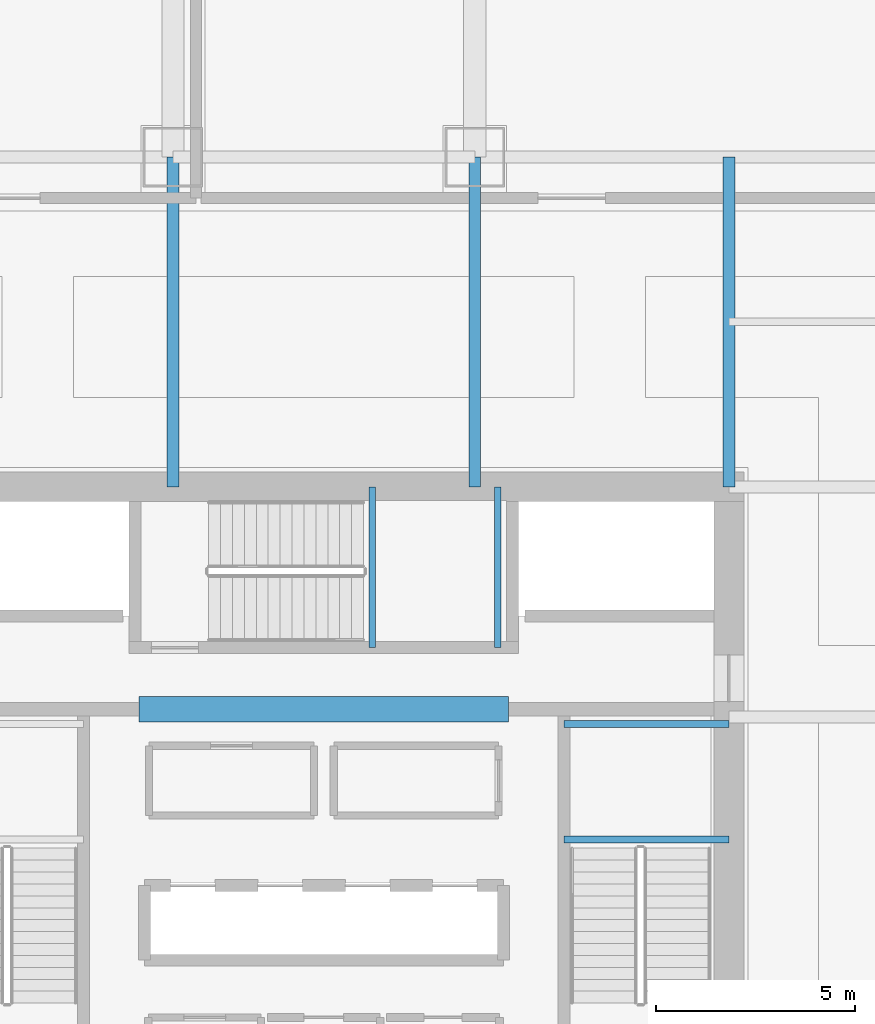
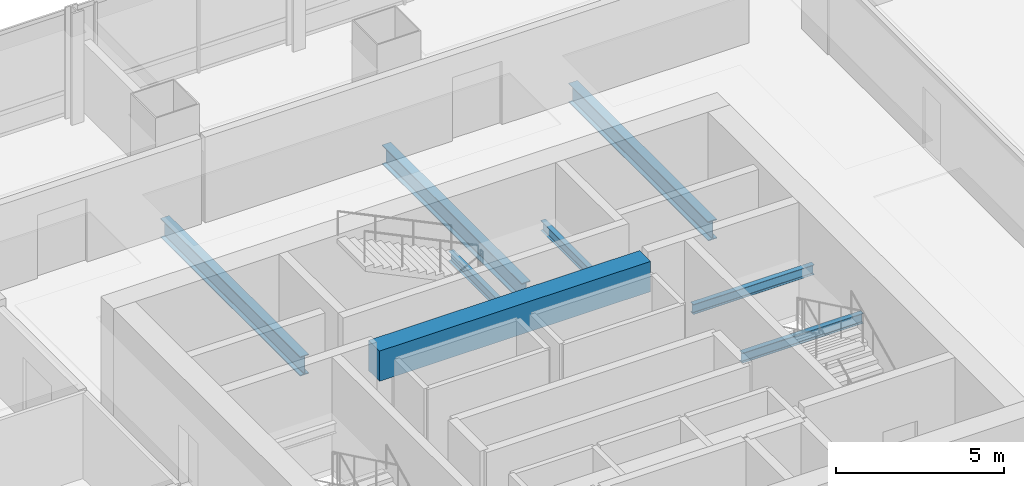
# One storey, part 12 of 34: 8 beams.
"""IFC4 building model written with IfcOpenShell, lengths in metres."""

import ifcopenshell
import ifcopenshell.guid

model = None  # the IFC model being written
_history = None  # IfcOwnerHistory: only IFC2X3 demands one
_inside = {}  # id of a spatial element -> (the spatial element, [elements in it])
_under = {}  # id of a project, library or spatial element -> (it, [spatial elements below it])
_declared = {}  # id of a project -> (the project, [libraries it declares])
_typed = {}  # id of a type object -> (the type object, [elements of that type])
_made_of = {}  # id of a material, layer set ... -> (it, [elements and type objects made of it])


def new_model(schema):
    """Start an empty IFC model of exactly this schema.

    Asked for "IFC4X3", IfcOpenShell would pick the latest addendum, in which some entities
    have other attributes; the version numbers below select the first issue.
    IFC2X3 requires an IfcOwnerHistory on every rooted entity: one is made here for all.
    """
    global model, _history
    if schema == "IFC4X3":
        model = ifcopenshell.file(schema_version=(4, 3, 0, 0))
    else:
        model = ifcopenshell.file(schema=schema)
    _inside.clear()
    _under.clear()
    _declared.clear()
    _typed.clear()
    _made_of.clear()
    _history = None
    if model.schema == "IFC2X3":
        org = make("IfcOrganization", Name="unknown")
        user = make(
            "IfcPersonAndOrganization",
            ThePerson=make("IfcPerson", FamilyName="unknown"),
            TheOrganization=org,
        )
        app = make(
            "IfcApplication",
            ApplicationDeveloper=org,
            Version="unknown",
            ApplicationFullName="unknown",
            ApplicationIdentifier="unknown",
        )
        _history = make(
            "IfcOwnerHistory",
            OwningUser=user,
            OwningApplication=app,
            ChangeAction="ADDED",
            CreationDate=0,
        )
    return model


def make(cls, **values):
    """One entity of the class cls with the attributes given. An attribute that is None is left unset."""
    return model.create_entity(
        cls, **{name: value for name, value in values.items() if value is not None}
    )


def rooted(cls, **values):
    """An entity with a GlobalId (a new one), such as an element, a storey or a relation."""
    return make(cls, GlobalId=ifcopenshell.guid.new(), OwnerHistory=_history, **values)


def si_unit(unit_type, name, prefix=None):
    """IfcSIUnit, for example si_unit("LENGTHUNIT", "METRE", prefix="MILLI")."""
    return make("IfcSIUnit", UnitType=unit_type, Prefix=prefix, Name=name)


def assignment(units):
    """IfcUnitAssignment: the units of a project."""
    return None if units is None else make("IfcUnitAssignment", Units=units)


def point(xyz):
    """IfcCartesianPoint."""
    return None if xyz is None else make("IfcCartesianPoint", Coordinates=xyz)


def direction(xyz):
    """IfcDirection."""
    return None if xyz is None else make("IfcDirection", DirectionRatios=xyz)


def frame(location, z_axis=None, x_axis=None):
    """IfcAxis2Placement3D, a coordinate frame: its origin and axes. An axis left out is left unset."""
    return make(
        "IfcAxis2Placement3D",
        Location=point(location),
        Axis=direction(z_axis),
        RefDirection=direction(x_axis),
    )


def frame_2d(location, x_axis=None):
    """IfcAxis2Placement2D, a coordinate frame in the plane: its origin and x axis."""
    return make(
        "IfcAxis2Placement2D", Location=point(location), RefDirection=direction(x_axis)
    )


def origin():
    """The frame at (0, 0, 0) with its axes left unset."""
    return frame((0.0, 0.0, 0.0))


def origin_2d():
    """The frame at (0, 0) in the plane with its x axis left unset."""
    return frame_2d((0.0, 0.0))


def place(relative_to, where):
    """IfcLocalPlacement: puts the frame where relative to a parent placement (None: the world)."""
    return make(
        "IfcLocalPlacement", PlacementRelTo=relative_to, RelativePlacement=where
    )


def context(
    kind, dimensions, precision=None, world=None, true_north=None, identifier=None
):
    """IfcGeometricRepresentationContext, for example the 3D "Model" context."""
    return make(
        "IfcGeometricRepresentationContext",
        ContextIdentifier=identifier,
        ContextType=kind,
        CoordinateSpaceDimension=dimensions,
        Precision=precision,
        WorldCoordinateSystem=world,
        TrueNorth=true_north,
    )


def subcontext(parent, identifier, kind, view, scale=None):
    """IfcGeometricRepresentationSubContext, for example "Body" below "Model"."""
    return make(
        "IfcGeometricRepresentationSubContext",
        ContextIdentifier=identifier,
        ContextType=kind,
        ParentContext=parent,
        TargetScale=scale,
        TargetView=view,
    )


def project(units=None, contexts=None):
    """IfcProject with its units and contexts."""
    return rooted(
        "IfcProject",
        Name="project",
        RepresentationContexts=contexts,
        UnitsInContext=assignment(units),
    )


def spatial(cls, under=None, at=None, **own):
    """A site, building, storey or space (cls), placed at a placement, below another one or the project."""
    s = rooted(cls, ObjectPlacement=at, **own)
    if under is not None:
        _under.setdefault(under.id(), (under, []))[1].append(s)
    return s


def profile(cls, at=None, kind="AREA", **sizes):
    """A parametric profile (cls). Its sizes go by their IFC names, for example OverallWidth=200.0."""
    return make(cls, ProfileType=kind, Position=at, **sizes)


def rectangle(**sizes):
    """IfcRectangleProfileDef."""
    return profile("IfcRectangleProfileDef", **sizes)


def i_section(**sizes):
    """IfcIShapeProfileDef."""
    return profile("IfcIShapeProfileDef", **sizes)


def extrude(swept, where, along, depth):
    """IfcExtrudedAreaSolid: the profile swept, set in the frame where, extruded along a direction by depth."""
    return make(
        "IfcExtrudedAreaSolid",
        SweptArea=swept,
        Position=where,
        ExtrudedDirection=direction(along),
        Depth=depth,
    )


def shape(context_of_items, identifier, shape_type, items):
    """IfcShapeRepresentation: the items that make up one representation, for example the "Body"."""
    return make(
        "IfcShapeRepresentation",
        ContextOfItems=context_of_items,
        RepresentationIdentifier=identifier,
        RepresentationType=shape_type,
        Items=items,
    )


def material(Name=None, Category=None):
    """IfcMaterial."""
    return make("IfcMaterial", Name=Name, Category=Category)


def material_profile(
    of_material, cross_section, Name=None, Category=None, Priority=None
):
    """IfcMaterialProfile: a cross section and its material."""
    return make(
        "IfcMaterialProfile",
        Name=Name,
        Material=of_material,
        Profile=cross_section,
        Priority=Priority,
        Category=Category,
    )


def profile_set(profiles, Name=None, composite=None):
    """IfcMaterialProfileSet."""
    return make(
        "IfcMaterialProfileSet",
        Name=Name,
        MaterialProfiles=profiles,
        CompositeProfile=composite,
    )


def made_of(thing, what):
    """Note that an element or type object is made of a material, layer set ...; save() writes the relation."""
    if what is not None:
        _made_of.setdefault(what.id(), (what, []))[1].append(thing)
    return thing


def type_object(cls, material=None, **own):
    """A type object (cls), such as IfcWallType, which elements share."""
    return made_of(rooted(cls, **own), material)


def element(
    cls,
    number,
    at=None,
    inside=None,
    cuts=None,
    type_object=None,
    material=None,
    context=None,
    identifier="Body",
    shape_type=None,
    held_by="IfcProductDefinitionShape",
    body=None,
    shapes=None,
    **own,
):
    """One element of the class cls, such as IfcWall. Its Tag is "e" and its number.

    at: its placement. inside: the storey or other place that contains it. cuts: it is an
    opening in that element (IfcRelVoidsElement). A single representation is given by context,
    identifier, shape_type and body (its items); several are given by shapes. held_by: the class
    of the entity that holds the representations. save() writes the other relations.
    """
    e = rooted(cls, Tag="e%d" % number, ObjectPlacement=at, **own)
    if body is not None:
        shapes = [shape(context, identifier, shape_type, body)]
    if shapes is not None:
        e.Representation = make(held_by, Representations=shapes)
    if inside is not None:
        _inside.setdefault(inside.id(), (inside, []))[1].append(e)
    if cuts is not None:
        rooted(
            "IfcRelVoidsElement", RelatingBuildingElement=cuts, RelatedOpeningElement=e
        )
    if type_object is not None:
        _typed.setdefault(type_object.id(), (type_object, []))[1].append(e)
    return made_of(e, material)


def aggregate(whole, parts):
    """IfcRelAggregates: a whole, such as a stair, and the parts it consists of."""
    return rooted("IfcRelAggregates", RelatingObject=whole, RelatedObjects=parts)


def save(model, path):
    """Write the relations noted so far, then the file.

    IfcRelAggregates (storeys below a building ...), IfcRelContainedInSpatialStructure (elements
    in a storey), IfcRelDefinesByType, IfcRelAssociatesMaterial and IfcRelDeclares: one each for
    every whole, place, type object, material and project.
    """
    for whole, parts in _under.values():
        aggregate(whole, parts)
    for where, things in _inside.values():
        rooted(
            "IfcRelContainedInSpatialStructure",
            RelatedElements=things,
            RelatingStructure=where,
        )
    for kind, things in _typed.values():
        rooted("IfcRelDefinesByType", RelatedObjects=things, RelatingType=kind)
    for what, things in _made_of.values():
        rooted("IfcRelAssociatesMaterial", RelatedObjects=things, RelatingMaterial=what)
    for by, libraries in _declared.values():
        rooted("IfcRelDeclares", RelatingContext=by, RelatedDefinitions=libraries)
    model.write(path)


model = new_model("IFC4")

# Units and contexts
model_context = context("Model", 3, precision=1e-05, world=origin(), true_north=direction((0.0, 1.0)))
body_context = subcontext(model_context, "Body", "Model", "MODEL_VIEW")
ifc_project = project(units=[si_unit("LENGTHUNIT", "METRE"), si_unit("AREAUNIT", "SQUARE_METRE"), si_unit("VOLUMEUNIT", "CUBIC_METRE"), si_unit("PLANEANGLEUNIT", "RADIAN"), si_unit("MASSUNIT", "GRAM", prefix="KILO")], contexts=[model_context])

# Site, building, storey
site_placement = place(None, origin())
site = spatial("IfcSite", under=ifc_project, at=site_placement, CompositionType="ELEMENT")
building_placement = place(site_placement, origin())
building = spatial("IfcBuilding", under=site, at=building_placement, Name="Punatoya Terracotta Tower", CompositionType="ELEMENT")
storey_placement = place(building_placement, frame((0.0, 0.0, 97.050048828125)))
storey = spatial("IfcBuildingStorey", under=building, at=storey_placement, Name="L22", CompositionType="ELEMENT", Elevation=97.050048828125)

# Beams
ifc_material_1 = material(Name="Steel S355", Category="steel")
ifc_material_profile_1 = material_profile(ifc_material_1, i_section(OverallWidth=0.300048828125, OverallDepth=0.699951171875, WebThickness=0.01708984375, FlangeThickness=0.031982421875, FilletRadius=0.01806640625, at=origin_2d()))
ifc_profile_set_1 = profile_set([ifc_material_profile_1], Name="Steel S355")
beam_type_1 = type_object("IfcBeamType", Name="BM-PRI-700", PredefinedType="BEAM", material=ifc_profile_set_1)
for number, where, z_axis, x_axis, name in (
    (1, (-3.800048828125, 9.199951171875, -0.590087890625), (0.0, 1.0, 0.0), (-1.0, 0.0, 0.0), "BM-L22-PR-N2"),
    (2, (3.800048828125, 9.199951171875, -0.590087890625), (0.0, 1.0, 0.0), (-1.0, 0.0, 0.0), "BM-L22-PR-N3"),
    (3, (10.199951171875, 9.199951171875, -0.590087890625), (0.0, 1.0, 0.0), (-1.0, 0.0, 0.0), "BM-L22-PR-N4"),
):
    element("IfcBeam", number, at=place(storey_placement, frame(where, z_axis=z_axis, x_axis=x_axis)), inside=storey, type_object=beam_type_1, Name=name, PredefinedType="BEAM", context=body_context, shape_type="SweptSolid", body=[
        extrude(i_section(OverallWidth=0.300048828125, OverallDepth=0.699951171875, WebThickness=0.01708984375, FlangeThickness=0.031982421875, FilletRadius=0.01806640625, at=origin_2d()), origin(), (0.0, 0.0, 1.0), 8.300048828125),
    ])
ifc_material_2 = material(Name="Concrete C60/75", Category="concrete")
ifc_material_profile_2 = material_profile(ifc_material_2, rectangle(XDim=0.64990234375, YDim=1.10009765625, at=origin_2d()))
ifc_profile_set_2 = profile_set([ifc_material_profile_2], Name="Concrete C60/75")
beam_type_2 = type_object("IfcBeamType", Name="BM-RC-1100", PredefinedType="LINTEL", material=ifc_profile_set_2)
beam_placement = place(storey_placement, frame((-4.64990234375, 3.60009765625, 3.260009765625), z_axis=(1.0, 0.0, 0.0), x_axis=(0.0, 1.0, 0.0)))
element("IfcBeam", 4, at=beam_placement, inside=storey, type_object=beam_type_2, Name="L22 Core Coupling Lintel CNW", PredefinedType="LINTEL", context=body_context, shape_type="SweptSolid", body=[
    extrude(rectangle(XDim=0.64990234375, YDim=1.10009765625, at=origin_2d()), origin(), (0.0, 0.0, 1.0), 9.2998046875),
])
ifc_material_profile_3 = material_profile(ifc_material_1, i_section(OverallWidth=0.169921875, OverallDepth=0.360107421875, WebThickness=0.008056640625, FlangeThickness=0.0126953125, FilletRadius=0.01806640625, at=origin_2d()))
ifc_profile_set_3 = profile_set([ifc_material_profile_3], Name="Steel S355")
beam_type_3 = type_object("IfcBeamType", Name="BM-SEC-360", PredefinedType="JOIST", material=ifc_profile_set_3)
for number, where, z_axis, x_axis, name in (
    (5, (6.050048828125, 0.320068359375, 1.64501953125), (1.0, 0.0, 0.0), (0.0, 1.0, 0.0), "BM-L22-ST-2-LD1A"),
    (6, (6.050048828125, 3.22998046875, 1.64501953125), (1.0, 0.0, 0.0), (0.0, 1.0, 0.0), "BM-L22-ST-2-LD1B"),
):
    element("IfcBeam", number, at=place(storey_placement, frame(where, z_axis=z_axis, x_axis=x_axis)), inside=storey, type_object=beam_type_3, Name=name, PredefinedType="JOIST", context=body_context, shape_type="SweptSolid", body=[
        extrude(i_section(OverallWidth=0.169921875, OverallDepth=0.360107421875, WebThickness=0.008056640625, FlangeThickness=0.0126953125, FilletRadius=0.01806640625, at=origin_2d()), origin(), (0.0, 0.0, 1.0), 4.14990234375),
    ])
for number, where, z_axis, x_axis, name in (
    (7, (1.219970703125, 5.14990234375, 1.64501953125), (0.0, 1.0, 0.0), (-1.0, 0.0, 0.0), "BM-L22-ST-3-LD1A"),
    (8, (4.3798828125, 5.14990234375, 1.64501953125), (0.0, 1.0, 0.0), (-1.0, 0.0, 0.0), "BM-L22-ST-3-LD1B"),
):
    element("IfcBeam", number, at=place(storey_placement, frame(where, z_axis=z_axis, x_axis=x_axis)), inside=storey, type_object=beam_type_3, Name=name, PredefinedType="JOIST", context=body_context, shape_type="SweptSolid", body=[
        extrude(i_section(OverallWidth=0.169921875, OverallDepth=0.360107421875, WebThickness=0.008056640625, FlangeThickness=0.0126953125, FilletRadius=0.01806640625, at=origin_2d()), origin(), (0.0, 0.0, 1.0), 4.050048828125),
    ])

save(model, "model.ifc")
